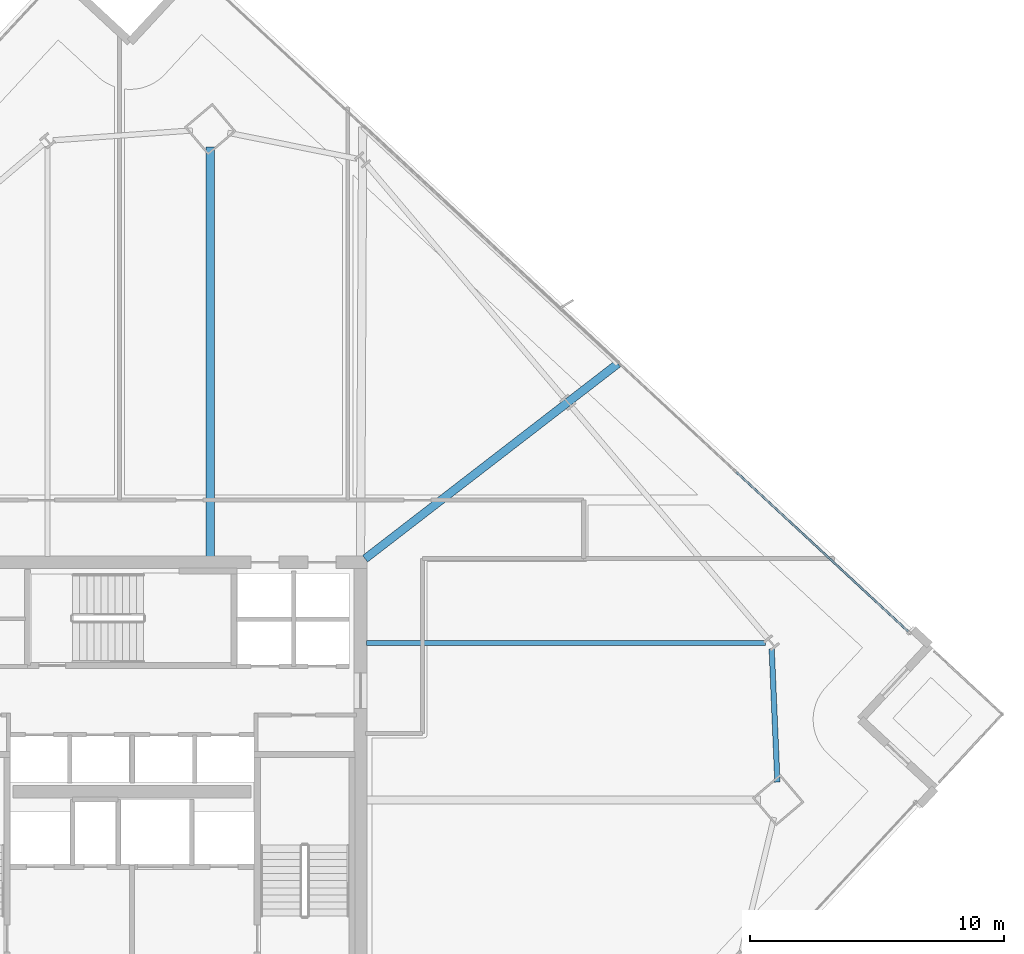
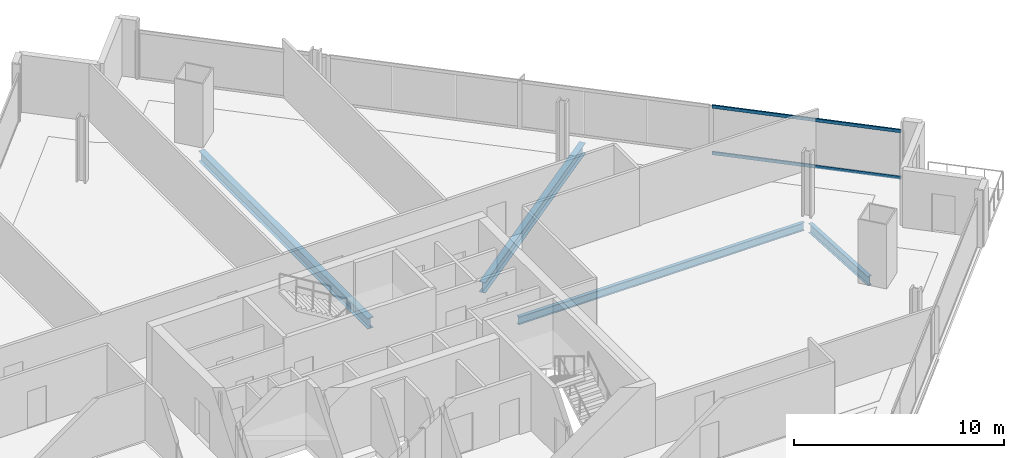
# One storey, part 18 of 32: 4 beams, 2 members, 1 element without a shape of its own.
"""IFC4 building model written with IfcOpenShell, lengths in metres."""

from ifc_helpers import new_model, si_unit, direction, frame, origin, origin_2d, place, context, subcontext, project, spatial, hollow_rectangle, i_section, extrude, material, material_profile, profile_set, type_object, element, aggregate, save


model = new_model("IFC4")

# Units and contexts
model_context = context("Model", 3, precision=1e-05, world=origin(), true_north=direction((0.0, 1.0)))
body_context = subcontext(model_context, "Body", "Model", "MODEL_VIEW")
ifc_project = project(units=[si_unit("LENGTHUNIT", "METRE"), si_unit("AREAUNIT", "SQUARE_METRE"), si_unit("VOLUMEUNIT", "CUBIC_METRE"), si_unit("PLANEANGLEUNIT", "RADIAN"), si_unit("MASSUNIT", "GRAM", prefix="KILO")], contexts=[model_context])

# Site, building, storey
site_placement = place(None, origin())
site = spatial("IfcSite", under=ifc_project, at=site_placement, CompositionType="ELEMENT")
building_placement = place(site_placement, origin())
building = spatial("IfcBuilding", under=site, at=building_placement, Name="Haldenkirk Collegiate Tower", CompositionType="ELEMENT")
storey_placement = place(building_placement, frame((0.0, 0.0, 185.699951171875)))
storey = spatial("IfcBuildingStorey", under=building, at=storey_placement, Name="L46", CompositionType="ELEMENT", Elevation=185.699951171875)

# Beams
ifc_material_1 = material(Name="Steel ASTM A992 Grade 50", Category="steel")
ifc_material_profile_1 = material_profile(ifc_material_1, i_section(OverallWidth=0.324951171875, OverallDepth=0.615966796875, WebThickness=0.013916015625, FlangeThickness=0.021484375, at=origin_2d()), Name="W24X117")
ifc_profile_set_1 = profile_set([ifc_material_profile_1], Name="Steel ASTM A992 Grade 50")
beam_type_1 = type_object("IfcBeamType", Name="BM-GIRDER-W24X117", PredefinedType="BEAM", material=ifc_profile_set_1)
beam_1_placement = place(storey_placement, frame((39.076904296875, 50.3701171875, -0.597900390625), z_axis=(0.0, -1.0, 0.0), x_axis=(1.0, 0.0, 0.0)))
element("IfcBeam", 1, at=beam_1_placement, inside=storey, type_object=beam_type_1, Name="L46 primary floor girder 03", PredefinedType="BEAM", context=body_context, shape_type="SweptSolid", body=[
    extrude(i_section(OverallWidth=0.324951171875, OverallDepth=0.615966796875, WebThickness=0.013916015625, FlangeThickness=0.021484375, at=origin_2d()), origin(), (0.0, 0.0, 1.0), 16.14013671875),
])
beam_2_placement = place(storey_placement, frame((55.14794921875, 41.8330078125, -0.597900390625), z_axis=(-0.791601346698, -0.611037894001, 0.0), x_axis=(0.611037894001, -0.791601346698, 0.0)))
element("IfcBeam", 2, at=beam_2_placement, inside=storey, type_object=beam_type_1, Name="L46 primary floor girder 09", PredefinedType="BEAM", context=body_context, shape_type="SweptSolid", body=[
    extrude(i_section(OverallWidth=0.324951171875, OverallDepth=0.615966796875, WebThickness=0.013916015625, FlangeThickness=0.021484375, at=origin_2d()), origin(), (0.0, 0.0, 1.0), 12.58935546875),
])
ifc_material_profile_2 = material_profile(ifc_material_1, i_section(OverallWidth=0.18994140625, OverallDepth=0.45703125, WebThickness=0.009033203125, FlangeThickness=0.014404296875, at=origin_2d()), Name="W18X50")
ifc_profile_set_2 = profile_set([ifc_material_profile_2], Name="Steel ASTM A992 Grade 50")
beam_type_2 = type_object("IfcBeamType", Name="BM-JOIST-W18X50", PredefinedType="JOIST", material=ifc_profile_set_2)
beam_3_placement = place(storey_placement, frame((60.970458984375, 30.82421875, -0.5185546875), z_axis=(-1.0, 0.0, 0.0), x_axis=(0.0, -1.0, 0.0)))
element("IfcBeam", 3, at=beam_3_placement, inside=storey, type_object=beam_type_2, Name="L46 composite floor joist 08", PredefinedType="JOIST", context=body_context, shape_type="SweptSolid", body=[
    extrude(i_section(OverallWidth=0.18994140625, OverallDepth=0.45703125, WebThickness=0.009033203125, FlangeThickness=0.014404296875, at=origin_2d()), origin(), (0.0, 0.0, 1.0), 15.740478515625),
])
ifc_material_profile_3 = material_profile(ifc_material_1, i_section(OverallWidth=0.2119140625, OverallDepth=0.5439453125, WebThickness=0.01318359375, FlangeThickness=0.021240234375, at=origin_2d()), Name="W21X83")
ifc_profile_set_3 = profile_set([ifc_material_profile_3], Name="Steel ASTM A992 Grade 50")
beam_type_3 = type_object("IfcBeamType", Name="BM-SPANDREL-W21X83", PredefinedType="SPANDREL", material=ifc_profile_set_3)
beam_4_placement = place(storey_placement, frame((61.434814453125, 25.33349609375, -0.56201171875), z_axis=(-0.042833703015, 0.999082215779, 0.0), x_axis=(-0.999082215779, -0.042833703015, 0.0)))
element("IfcBeam", 4, at=beam_4_placement, inside=storey, type_object=beam_type_3, Name="L46 perimeter spandrel beam 05", PredefinedType="SPANDREL", context=body_context, shape_type="SweptSolid", body=[
    extrude(i_section(OverallWidth=0.2119140625, OverallDepth=0.5439453125, WebThickness=0.01318359375, FlangeThickness=0.021240234375, at=origin_2d()), origin(), (0.0, 0.0, 1.0), 5.2666015625),
])

# Curtain wall, members
ifc_material_2 = material(Name="Anodised architectural bronze aluminium", Category="aluminium")
curtain_wall_type = type_object("IfcCurtainWallType", Name="CW-SYS1-CONVEX-LOW", PredefinedType="USERDEFINED", material=ifc_material_2)
curtain_wall_placement = place(storey_placement, origin())
curtain_wall = element("IfcCurtainWall", 5, at=curtain_wall_placement, inside=storey, type_object=curtain_wall_type, Name="L46 Lower tower convex bronze-framed unitised curtain wall", ObjectType="UNITISED CURTAIN WALL", PredefinedType="USERDEFINED")
ifc_material_profile_4 = material_profile(ifc_material_2, hollow_rectangle(XDim=0.080078125, YDim=0.179931640625, WallThickness=0.0048828125, at=origin_2d()), Name="CW-TRN-1A")
ifc_profile_set_4 = profile_set([ifc_material_profile_4], Name="Anodised architectural bronze aluminium")
member_type = type_object("IfcMemberType", Name="CW-TRN-1A", PredefinedType="USERDEFINED", material=ifc_profile_set_4)
member_1_placement = place(storey_placement, frame((59.81298828125, 37.560302734375, 0.0400390625), z_axis=(0.733137493098, -0.68008044834, 0.0), x_axis=(0.68008044834, 0.733137493098, 0.0)))
member_1 = element("IfcMember", 6, at=member_1_placement, type_object=member_type, Name="CW-1A transom 4.1", ObjectType="TRANSOM", PredefinedType="USERDEFINED", context=body_context, shape_type="SweptSolid", body=[
    extrude(hollow_rectangle(XDim=0.080078125, YDim=0.179931640625, WallThickness=0.0048828125, at=origin_2d()), origin(), (0.0, 0.0, 1.0), 9.2490234375),
])
member_2_placement = place(storey_placement, frame((59.81298828125, 37.560302734375, 2.7509765625), z_axis=(0.733137493098, -0.68008044834, 0.0), x_axis=(0.68008044834, 0.733137493098, 0.0)))
member_2 = element("IfcMember", 7, at=member_2_placement, type_object=member_type, Name="CW-1A transom 4.2", ObjectType="TRANSOM", PredefinedType="USERDEFINED", context=body_context, shape_type="SweptSolid", body=[
    extrude(hollow_rectangle(XDim=0.080078125, YDim=0.179931640625, WallThickness=0.0048828125, at=origin_2d()), origin(), (0.0, 0.0, 1.0), 9.2490234375),
])
aggregate(curtain_wall, [member_1, member_2])

save(model, "model.ifc")
